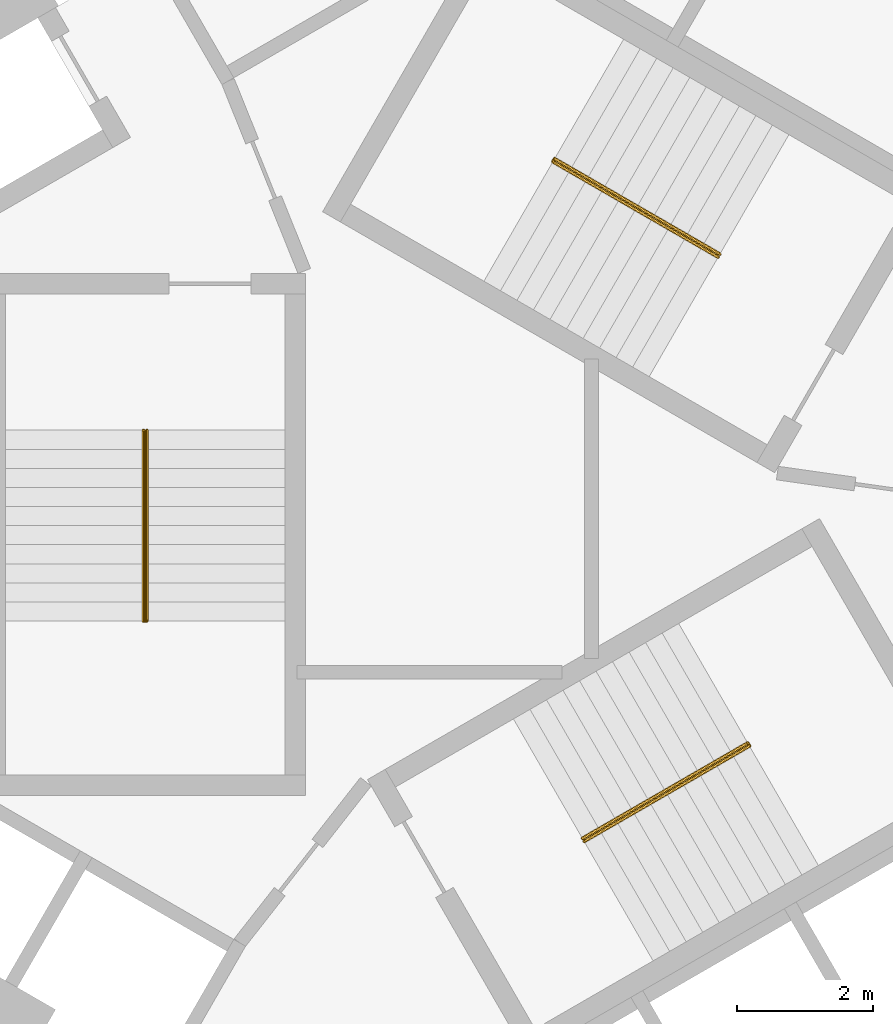
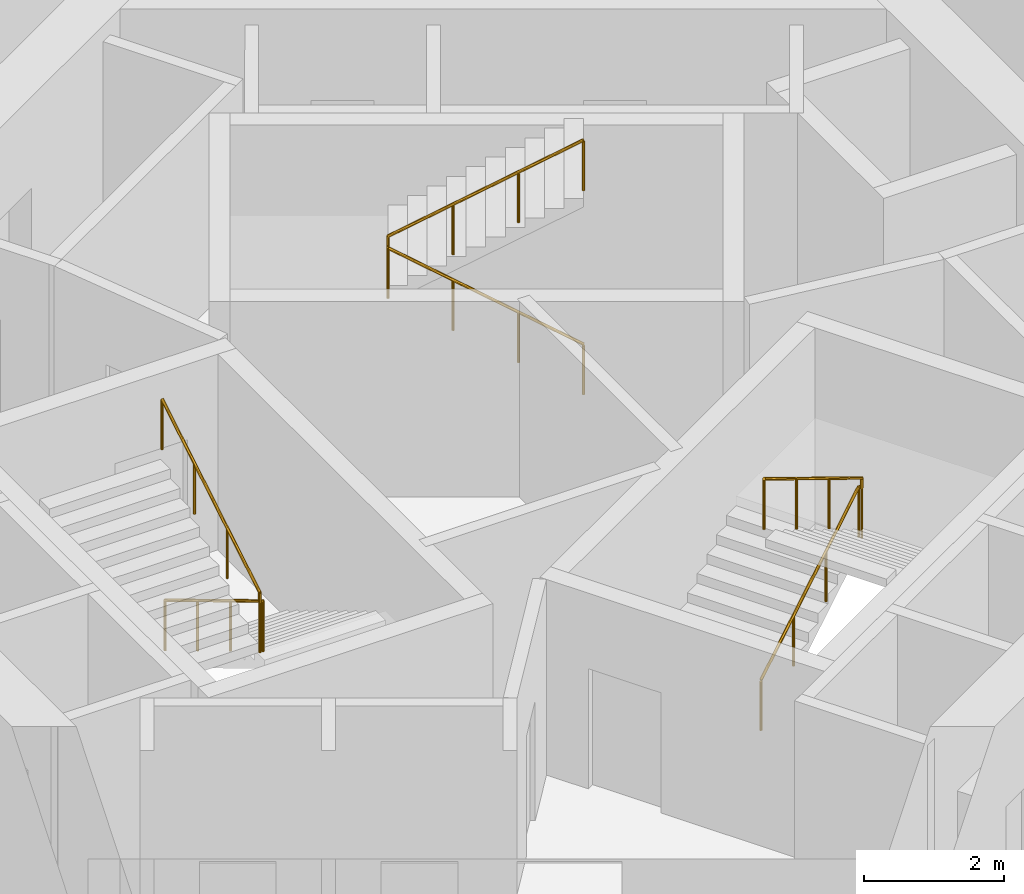
# One storey, part 11 of 11: 3 railings.
"""IFC4 building model written with IfcOpenShell, lengths in metres."""

from ifc_helpers import new_model, si_unit, direction, frame, origin, origin_2d, place, context, subcontext, project, spatial, circle, extrude, material, type_object, element, save


model = new_model("IFC4")

# Units and contexts
model_context = context("Model", 3, precision=1e-05, world=origin(), true_north=direction((0.0, 1.0)))
body_context = subcontext(model_context, "Body", "Model", "MODEL_VIEW")
ifc_project = project(units=[si_unit("LENGTHUNIT", "METRE"), si_unit("AREAUNIT", "SQUARE_METRE"), si_unit("VOLUMEUNIT", "CUBIC_METRE"), si_unit("PLANEANGLEUNIT", "RADIAN"), si_unit("MASSUNIT", "GRAM", prefix="KILO")], contexts=[model_context])

# Site, building, storey
site_placement = place(None, origin())
site = spatial("IfcSite", under=ifc_project, at=site_placement, CompositionType="ELEMENT")
building_placement = place(site_placement, origin())
building = spatial("IfcBuilding", under=site, at=building_placement, Name="Vanh Sen Convention Tower", CompositionType="ELEMENT")
storey_placement = place(building_placement, frame((0.0, 0.0, 229.10009765625)))
storey = spatial("IfcBuildingStorey", under=building, at=storey_placement, Name="L56", CompositionType="ELEMENT", Elevation=229.10009765625)

# Railings
ifc_material = material(Name="Stainless steel handrail", Category="steel")
railing_type = type_object("IfcRailingType", Name="Stair handrail 900", PredefinedType="HANDRAIL", material=ifc_material)
railing_1_placement = place(storey_placement, frame((3.45849609375, 3.690185546875, 0.168212890625)))
element("IfcRailing", 1, at=railing_1_placement, inside=storey, type_object=railing_type, Name="Stair handrail ST1 L56", PredefinedType="HANDRAIL", context=body_context, shape_type="SweptSolid", body=[
    extrude(circle(Radius=0.02392578125, at=origin_2d()), frame((0.0, 0.0, 0.8759765625), z_axis=(-0.74241905619, 0.428617687091, 0.514879426), x_axis=(-0.49998411664, -0.866034573852, 0.0)), (0.0, 0.0, 1.0), 3.26611328125),
    extrude(circle(Radius=0.02392578125, at=origin_2d()), frame((-2.4248046875, 1.39990234375, 2.5576171875), z_axis=(0.497188445666, 0.867642581652, 0.0), x_axis=(-0.867642581652, 0.497188445666, 0.0)), (0.0, 0.0, 1.0), 0.050048828125),
    extrude(circle(Radius=0.02392578125, at=origin_2d()), frame((-2.39990234375, 1.443359375, 2.5576171875), z_axis=(0.0, 0.0, 1.0), x_axis=(1.0, 0.0, 0.0)), (0.0, 0.0, 1.0), 0.168212890625),
    extrude(circle(Radius=0.02392578125, at=origin_2d()), frame((-2.39990234375, 1.443359375, 2.7255859375), z_axis=(0.742366697286, -0.42866220388, 0.514917859203), x_axis=(0.500049511043, 0.865996816683, 0.0)), (0.0, 0.0, 1.0), 3.266357421875),
    extrude(circle(Radius=0.02099609375, at=origin_2d()), origin(), (0.0, 0.0, 1.0), 0.851806640625),
    extrude(circle(Radius=0.02099609375, at=origin_2d()), frame((-0.808349609375, 0.466552734375, 0.560546875)), (0.0, 0.0, 1.0), 0.851806640625),
    extrude(circle(Radius=0.02099609375, at=origin_2d()), frame((-1.616455078125, 0.933349609375, 1.12109375)), (0.0, 0.0, 1.0), 0.851806640625),
    extrude(circle(Radius=0.02099609375, at=origin_2d()), frame((-2.4248046875, 1.39990234375, 1.681640625)), (0.0, 0.0, 1.0), 0.851806640625),
    extrude(circle(Radius=0.02099609375, at=origin_2d()), frame((-2.39990234375, 1.443359375, 1.681640625)), (0.0, 0.0, 1.0), 0.851806640625),
    extrude(circle(Radius=0.02099609375, at=origin_2d()), frame((-2.39990234375, 1.443359375, 1.849853515625)), (0.0, 0.0, 1.0), 0.851806640625),
    extrude(circle(Radius=0.02099609375, at=origin_2d()), frame((-1.591552734375, 0.9765625, 2.410400390625)), (0.0, 0.0, 1.0), 0.851806640625),
    extrude(circle(Radius=0.02099609375, at=origin_2d()), frame((-0.783447265625, 0.510009765625, 2.97119140625)), (0.0, 0.0, 1.0), 0.851806640625),
    extrude(circle(Radius=0.02099609375, at=origin_2d()), frame((0.02490234375, 0.043212890625, 3.53173828125)), (0.0, 0.0, 1.0), 0.851806640625),
])
railing_2_placement = place(storey_placement, frame((-4.925048828125, 1.14990234375, 0.168212890625)))
element("IfcRailing", 2, at=railing_2_placement, inside=storey, type_object=railing_type, Name="Stair handrail ST2 L56", PredefinedType="HANDRAIL", context=body_context, shape_type="SweptSolid", body=[
    extrude(circle(Radius=0.02392578125, at=origin_2d()), frame((0.0, 0.0, 0.8759765625), z_axis=(0.0, -0.857255387014, 0.514891446264), x_axis=(1.0, 0.0, 0.0)), (0.0, 0.0, 1.0), 3.26611328125),
    extrude(circle(Radius=0.02392578125, at=origin_2d()), frame((0.0, -2.7998046875, 2.5576171875), z_axis=(-1.0, 0.0, 0.0), x_axis=(0.0, -1.0, 0.0)), (0.0, 0.0, 1.0), 0.050048828125),
    extrude(circle(Radius=0.02392578125, at=origin_2d()), frame((-0.050048828125, -2.7998046875, 2.5576171875), z_axis=(0.0, 0.0, 1.0), x_axis=(1.0, 0.0, 0.0)), (0.0, 0.0, 1.0), 0.168212890625),
    extrude(circle(Radius=0.02392578125, at=origin_2d()), frame((-0.050048828125, -2.7998046875, 2.7255859375), z_axis=(0.0, 0.857222391501, 0.514946377315), x_axis=(-1.0, 0.0, 0.0)), (0.0, 0.0, 1.0), 3.26611328125),
    extrude(circle(Radius=0.02099609375, at=origin_2d()), origin(), (0.0, 0.0, 1.0), 0.851806640625),
    extrude(circle(Radius=0.02099609375, at=origin_2d()), frame((0.0, -0.933349609375, 0.560546875)), (0.0, 0.0, 1.0), 0.851806640625),
    extrude(circle(Radius=0.02099609375, at=origin_2d()), frame((0.0, -1.866455078125, 1.12109375)), (0.0, 0.0, 1.0), 0.851806640625),
    extrude(circle(Radius=0.02099609375, at=origin_2d()), frame((0.0, -2.7998046875, 1.681640625)), (0.0, 0.0, 1.0), 0.851806640625),
    extrude(circle(Radius=0.02099609375, at=origin_2d()), frame((-0.050048828125, -2.7998046875, 1.681640625)), (0.0, 0.0, 1.0), 0.851806640625),
    extrude(circle(Radius=0.02099609375, at=origin_2d()), frame((-0.050048828125, -2.7998046875, 1.849853515625)), (0.0, 0.0, 1.0), 0.851806640625),
    extrude(circle(Radius=0.02099609375, at=origin_2d()), frame((-0.050048828125, -1.866455078125, 2.410400390625)), (0.0, 0.0, 1.0), 0.851806640625),
    extrude(circle(Radius=0.02099609375, at=origin_2d()), frame((-0.050048828125, -0.933349609375, 2.97119140625)), (0.0, 0.0, 1.0), 0.851806640625),
    extrude(circle(Radius=0.02099609375, at=origin_2d()), frame((-0.050048828125, 0.0, 3.53173828125)), (0.0, 0.0, 1.0), 0.851806640625),
])
railing_3_placement = place(storey_placement, frame((1.466552734375, -4.840087890625, 0.168212890625)))
element("IfcRailing", 3, at=railing_3_placement, inside=storey, type_object=railing_type, Name="Stair handrail ST3 L56", PredefinedType="HANDRAIL", context=body_context, shape_type="SweptSolid", body=[
    extrude(circle(Radius=0.02392578125, at=origin_2d()), frame((0.0, 0.0, 0.8759765625), z_axis=(0.74241905619, 0.428617687091, 0.514879426), x_axis=(-0.49998411664, 0.866034573852, 0.0)), (0.0, 0.0, 1.0), 3.26611328125),
    extrude(circle(Radius=0.02392578125, at=origin_2d()), frame((2.4248046875, 1.39990234375, 2.5576171875), z_axis=(0.502959906984, -0.86430974307, 0.0), x_axis=(0.86430974307, 0.502959906984, 0.0)), (0.0, 0.0, 1.0), 0.050048828125),
    extrude(circle(Radius=0.02392578125, at=origin_2d()), frame((2.449951171875, 1.356689453125, 2.5576171875), z_axis=(0.0, 0.0, 1.0), x_axis=(1.0, 0.0, 0.0)), (0.0, 0.0, 1.0), 0.168212890625),
    extrude(circle(Radius=0.02392578125, at=origin_2d()), frame((2.449951171875, 1.356689453125, 2.7255859375), z_axis=(-0.742366697286, -0.42866220388, 0.514917859203), x_axis=(0.500049511043, -0.865996816683, 0.0)), (0.0, 0.0, 1.0), 3.266357421875),
    extrude(circle(Radius=0.02099609375, at=origin_2d()), origin(), (0.0, 0.0, 1.0), 0.851806640625),
    extrude(circle(Radius=0.02099609375, at=origin_2d()), frame((0.808349609375, 0.466552734375, 0.560546875)), (0.0, 0.0, 1.0), 0.851806640625),
    extrude(circle(Radius=0.02099609375, at=origin_2d()), frame((1.616455078125, 0.933349609375, 1.12109375)), (0.0, 0.0, 1.0), 0.851806640625),
    extrude(circle(Radius=0.02099609375, at=origin_2d()), frame((2.4248046875, 1.39990234375, 1.681640625)), (0.0, 0.0, 1.0), 0.851806640625),
    extrude(circle(Radius=0.02099609375, at=origin_2d()), frame((2.449951171875, 1.356689453125, 1.681640625)), (0.0, 0.0, 1.0), 0.851806640625),
    extrude(circle(Radius=0.02099609375, at=origin_2d()), frame((2.449951171875, 1.356689453125, 1.849853515625)), (0.0, 0.0, 1.0), 0.851806640625),
    extrude(circle(Radius=0.02099609375, at=origin_2d()), frame((1.6416015625, 0.889892578125, 2.410400390625)), (0.0, 0.0, 1.0), 0.851806640625),
    extrude(circle(Radius=0.02099609375, at=origin_2d()), frame((0.83349609375, 0.42333984375, 2.97119140625)), (0.0, 0.0, 1.0), 0.851806640625),
    extrude(circle(Radius=0.02099609375, at=origin_2d()), frame((0.025146484375, -0.04345703125, 3.53173828125)), (0.0, 0.0, 1.0), 0.851806640625),
])

save(model, "model.ifc")
